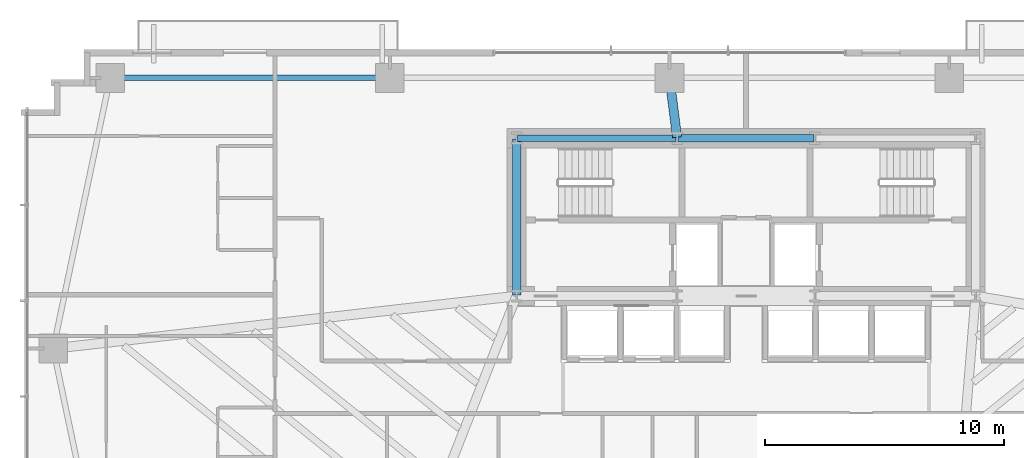
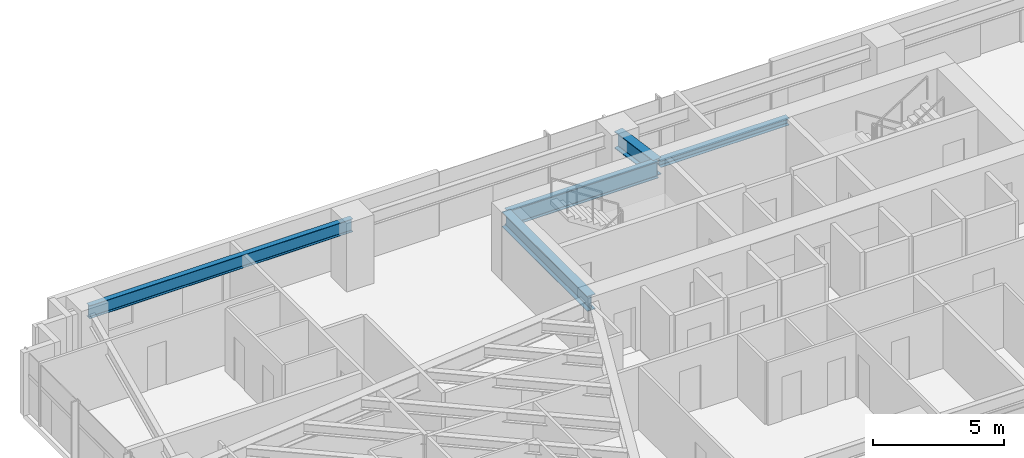
# One storey, part 9 of 25: 5 beams.
"""IFC4 building model written with IfcOpenShell, lengths in metres."""

import ifcopenshell
import ifcopenshell.guid

model = None  # the IFC model being written
_history = None  # IfcOwnerHistory: only IFC2X3 demands one
_inside = {}  # id of a spatial element -> (the spatial element, [elements in it])
_under = {}  # id of a project, library or spatial element -> (it, [spatial elements below it])
_declared = {}  # id of a project -> (the project, [libraries it declares])
_typed = {}  # id of a type object -> (the type object, [elements of that type])
_made_of = {}  # id of a material, layer set ... -> (it, [elements and type objects made of it])


def new_model(schema):
    """Start an empty IFC model of exactly this schema.

    Asked for "IFC4X3", IfcOpenShell would pick the latest addendum, in which some entities
    have other attributes; the version numbers below select the first issue.
    IFC2X3 requires an IfcOwnerHistory on every rooted entity: one is made here for all.
    """
    global model, _history
    if schema == "IFC4X3":
        model = ifcopenshell.file(schema_version=(4, 3, 0, 0))
    else:
        model = ifcopenshell.file(schema=schema)
    _inside.clear()
    _under.clear()
    _declared.clear()
    _typed.clear()
    _made_of.clear()
    _history = None
    if model.schema == "IFC2X3":
        org = make("IfcOrganization", Name="unknown")
        user = make(
            "IfcPersonAndOrganization",
            ThePerson=make("IfcPerson", FamilyName="unknown"),
            TheOrganization=org,
        )
        app = make(
            "IfcApplication",
            ApplicationDeveloper=org,
            Version="unknown",
            ApplicationFullName="unknown",
            ApplicationIdentifier="unknown",
        )
        _history = make(
            "IfcOwnerHistory",
            OwningUser=user,
            OwningApplication=app,
            ChangeAction="ADDED",
            CreationDate=0,
        )
    return model


def make(cls, **values):
    """One entity of the class cls with the attributes given. An attribute that is None is left unset."""
    return model.create_entity(
        cls, **{name: value for name, value in values.items() if value is not None}
    )


def rooted(cls, **values):
    """An entity with a GlobalId (a new one), such as an element, a storey or a relation."""
    return make(cls, GlobalId=ifcopenshell.guid.new(), OwnerHistory=_history, **values)


def si_unit(unit_type, name, prefix=None):
    """IfcSIUnit, for example si_unit("LENGTHUNIT", "METRE", prefix="MILLI")."""
    return make("IfcSIUnit", UnitType=unit_type, Prefix=prefix, Name=name)


def assignment(units):
    """IfcUnitAssignment: the units of a project."""
    return None if units is None else make("IfcUnitAssignment", Units=units)


def point(xyz):
    """IfcCartesianPoint."""
    return None if xyz is None else make("IfcCartesianPoint", Coordinates=xyz)


def direction(xyz):
    """IfcDirection."""
    return None if xyz is None else make("IfcDirection", DirectionRatios=xyz)


def frame(location, z_axis=None, x_axis=None):
    """IfcAxis2Placement3D, a coordinate frame: its origin and axes. An axis left out is left unset."""
    return make(
        "IfcAxis2Placement3D",
        Location=point(location),
        Axis=direction(z_axis),
        RefDirection=direction(x_axis),
    )


def frame_2d(location, x_axis=None):
    """IfcAxis2Placement2D, a coordinate frame in the plane: its origin and x axis."""
    return make(
        "IfcAxis2Placement2D", Location=point(location), RefDirection=direction(x_axis)
    )


def origin():
    """The frame at (0, 0, 0) with its axes left unset."""
    return frame((0.0, 0.0, 0.0))


def origin_2d():
    """The frame at (0, 0) in the plane with its x axis left unset."""
    return frame_2d((0.0, 0.0))


def place(relative_to, where):
    """IfcLocalPlacement: puts the frame where relative to a parent placement (None: the world)."""
    return make(
        "IfcLocalPlacement", PlacementRelTo=relative_to, RelativePlacement=where
    )


def context(
    kind, dimensions, precision=None, world=None, true_north=None, identifier=None
):
    """IfcGeometricRepresentationContext, for example the 3D "Model" context."""
    return make(
        "IfcGeometricRepresentationContext",
        ContextIdentifier=identifier,
        ContextType=kind,
        CoordinateSpaceDimension=dimensions,
        Precision=precision,
        WorldCoordinateSystem=world,
        TrueNorth=true_north,
    )


def subcontext(parent, identifier, kind, view, scale=None):
    """IfcGeometricRepresentationSubContext, for example "Body" below "Model"."""
    return make(
        "IfcGeometricRepresentationSubContext",
        ContextIdentifier=identifier,
        ContextType=kind,
        ParentContext=parent,
        TargetScale=scale,
        TargetView=view,
    )


def project(units=None, contexts=None):
    """IfcProject with its units and contexts."""
    return rooted(
        "IfcProject",
        Name="project",
        RepresentationContexts=contexts,
        UnitsInContext=assignment(units),
    )


def spatial(cls, under=None, at=None, **own):
    """A site, building, storey or space (cls), placed at a placement, below another one or the project."""
    s = rooted(cls, ObjectPlacement=at, **own)
    if under is not None:
        _under.setdefault(under.id(), (under, []))[1].append(s)
    return s


def profile(cls, at=None, kind="AREA", **sizes):
    """A parametric profile (cls). Its sizes go by their IFC names, for example OverallWidth=200.0."""
    return make(cls, ProfileType=kind, Position=at, **sizes)


def i_section(**sizes):
    """IfcIShapeProfileDef."""
    return profile("IfcIShapeProfileDef", **sizes)


def extrude(swept, where, along, depth):
    """IfcExtrudedAreaSolid: the profile swept, set in the frame where, extruded along a direction by depth."""
    return make(
        "IfcExtrudedAreaSolid",
        SweptArea=swept,
        Position=where,
        ExtrudedDirection=direction(along),
        Depth=depth,
    )


def shape(context_of_items, identifier, shape_type, items):
    """IfcShapeRepresentation: the items that make up one representation, for example the "Body"."""
    return make(
        "IfcShapeRepresentation",
        ContextOfItems=context_of_items,
        RepresentationIdentifier=identifier,
        RepresentationType=shape_type,
        Items=items,
    )


def source(mapping_origin, context_of_items, identifier, shape_type, items):
    """IfcRepresentationMap: a shape defined once, which mapped items show again and again."""
    return make(
        "IfcRepresentationMap",
        MappingOrigin=mapping_origin,
        MappedRepresentation=shape(context_of_items, identifier, shape_type, items),
    )


def transform(
    local_origin,
    x_axis=None,
    y_axis=None,
    z_axis=None,
    scale=None,
    scale2=None,
    scale3=None,
    uniform=True,
):
    """IfcCartesianTransformationOperator3D, or its non-uniform kind. x_axis, y_axis, z_axis: its Axis1, 2, 3."""
    if uniform:
        return make(
            "IfcCartesianTransformationOperator3D",
            Axis1=direction(x_axis),
            Axis2=direction(y_axis),
            LocalOrigin=point(local_origin),
            Scale=scale,
            Axis3=direction(z_axis),
        )
    return make(
        "IfcCartesianTransformationOperator3DnonUniform",
        Axis1=direction(x_axis),
        Axis2=direction(y_axis),
        LocalOrigin=point(local_origin),
        Scale=scale,
        Axis3=direction(z_axis),
        Scale2=scale2,
        Scale3=scale3,
    )


def mapped(mapping_source, mapping_target):
    """IfcMappedItem: shows the shape of a source again, moved by a transform."""
    return make(
        "IfcMappedItem", MappingSource=mapping_source, MappingTarget=mapping_target
    )


def material(Name=None, Category=None):
    """IfcMaterial."""
    return make("IfcMaterial", Name=Name, Category=Category)


def material_profile(
    of_material, cross_section, Name=None, Category=None, Priority=None
):
    """IfcMaterialProfile: a cross section and its material."""
    return make(
        "IfcMaterialProfile",
        Name=Name,
        Material=of_material,
        Profile=cross_section,
        Priority=Priority,
        Category=Category,
    )


def profile_set(profiles, Name=None, composite=None):
    """IfcMaterialProfileSet."""
    return make(
        "IfcMaterialProfileSet",
        Name=Name,
        MaterialProfiles=profiles,
        CompositeProfile=composite,
    )


def made_of(thing, what):
    """Note that an element or type object is made of a material, layer set ...; save() writes the relation."""
    if what is not None:
        _made_of.setdefault(what.id(), (what, []))[1].append(thing)
    return thing


def type_object(cls, material=None, **own):
    """A type object (cls), such as IfcWallType, which elements share."""
    return made_of(rooted(cls, **own), material)


def type_shapes(of_type, sources):
    """Give a type object the sources (RepresentationMaps) that its elements show as mapped items."""
    of_type.RepresentationMaps = sources


def element(
    cls,
    number,
    at=None,
    inside=None,
    cuts=None,
    type_object=None,
    material=None,
    context=None,
    identifier="Body",
    shape_type=None,
    held_by="IfcProductDefinitionShape",
    body=None,
    shapes=None,
    **own,
):
    """One element of the class cls, such as IfcWall. Its Tag is "e" and its number.

    at: its placement. inside: the storey or other place that contains it. cuts: it is an
    opening in that element (IfcRelVoidsElement). A single representation is given by context,
    identifier, shape_type and body (its items); several are given by shapes. held_by: the class
    of the entity that holds the representations. save() writes the other relations.
    """
    e = rooted(cls, Tag="e%d" % number, ObjectPlacement=at, **own)
    if body is not None:
        shapes = [shape(context, identifier, shape_type, body)]
    if shapes is not None:
        e.Representation = make(held_by, Representations=shapes)
    if inside is not None:
        _inside.setdefault(inside.id(), (inside, []))[1].append(e)
    if cuts is not None:
        rooted(
            "IfcRelVoidsElement", RelatingBuildingElement=cuts, RelatedOpeningElement=e
        )
    if type_object is not None:
        _typed.setdefault(type_object.id(), (type_object, []))[1].append(e)
    return made_of(e, material)


def aggregate(whole, parts):
    """IfcRelAggregates: a whole, such as a stair, and the parts it consists of."""
    return rooted("IfcRelAggregates", RelatingObject=whole, RelatedObjects=parts)


def save(model, path):
    """Write the relations noted so far, then the file.

    IfcRelAggregates (storeys below a building ...), IfcRelContainedInSpatialStructure (elements
    in a storey), IfcRelDefinesByType, IfcRelAssociatesMaterial and IfcRelDeclares: one each for
    every whole, place, type object, material and project.
    """
    for whole, parts in _under.values():
        aggregate(whole, parts)
    for where, things in _inside.values():
        rooted(
            "IfcRelContainedInSpatialStructure",
            RelatedElements=things,
            RelatingStructure=where,
        )
    for kind, things in _typed.values():
        rooted("IfcRelDefinesByType", RelatedObjects=things, RelatingType=kind)
    for what, things in _made_of.values():
        rooted("IfcRelAssociatesMaterial", RelatedObjects=things, RelatingMaterial=what)
    for by, libraries in _declared.values():
        rooted("IfcRelDeclares", RelatingContext=by, RelatedDefinitions=libraries)
    model.write(path)


model = new_model("IFC4")

# Units and contexts
model_context = context("Model", 3, precision=1e-05, world=origin(), true_north=direction((0.0, 1.0)))
body_context = subcontext(model_context, "Body", "Model", "MODEL_VIEW")
ifc_project = project(units=[si_unit("LENGTHUNIT", "METRE"), si_unit("AREAUNIT", "SQUARE_METRE"), si_unit("VOLUMEUNIT", "CUBIC_METRE"), si_unit("PLANEANGLEUNIT", "RADIAN"), si_unit("MASSUNIT", "GRAM", prefix="KILO")], contexts=[model_context])

# Site, building, storey
site_placement = place(None, origin())
site = spatial("IfcSite", under=ifc_project, at=site_placement, CompositionType="ELEMENT")
building_placement = place(site_placement, origin())
building = spatial("IfcBuilding", under=site, at=building_placement, Name="Astriad Promenade Condominiums", CompositionType="ELEMENT")
storey_placement = place(building_placement, frame((0.0, 0.0, 39.0)))
storey = spatial("IfcBuildingStorey", under=building, at=storey_placement, Name="L10", CompositionType="ELEMENT", Elevation=39.0)

# Beams
ifc_material = material(Name="Steel ASTM A992 Grade 50", Category="steel")
ifc_material_profile_1 = material_profile(ifc_material, i_section(OverallWidth=0.267822265625, OverallDepth=0.76953125, WebThickness=0.015625, FlangeThickness=0.025390625, FilletRadius=0.021484375, at=origin_2d()), Name="W30X132")
ifc_profile_set_1 = profile_set([ifc_material_profile_1], Name="Steel ASTM A992 Grade 50")
beam_type_1 = type_object("IfcBeamType", Name="STEEL FLOOR GIRDER W30X132", PredefinedType="BEAM", material=ifc_profile_set_1)
shared_shape_1 = source(origin(), body_context, "Body", "SweptSolid", [
    extrude(i_section(OverallWidth=0.267822265625, OverallDepth=0.76953125, WebThickness=0.015625, FlangeThickness=0.025390625, FilletRadius=0.021484375, at=origin_2d()), origin(), (0.0, 0.0, 1.0), 6.64013671875),
])
type_shapes(beam_type_1, [shared_shape_1])
beam_1_placement = place(storey_placement, frame((26.43994140625, 24.0, 2.55517578125), z_axis=(1.0, 0.0, 0.0), x_axis=(0.0, 1.0, 0.0)))
element("IfcBeam", 1, at=beam_1_placement, inside=storey, type_object=beam_type_1, Name="Core Ring Beam CG-N1-L10", PredefinedType="BEAM", context=body_context, shape_type="MappedRepresentation", body=[
    mapped(shared_shape_1, transform((0.0, 0.0, 0.0), scale=1.0)),
])
ifc_material_profile_2 = material_profile(ifc_material, i_section(OverallWidth=0.3046875, OverallDepth=0.307861328125, WebThickness=0.010009765625, FlangeThickness=0.015380859375, FilletRadius=0.01513671875, at=origin_2d()), Name="W12X65")
ifc_profile_set_2 = profile_set([ifc_material_profile_2], Name="Steel ASTM A992 Grade 50")
beam_type_2 = type_object("IfcBeamType", Name="STEEL OPENING LINTEL W12X65", PredefinedType="LINTEL", material=ifc_profile_set_2)
shared_shape_2 = source(origin(), body_context, "Body", "SweptSolid", [
    extrude(i_section(OverallWidth=0.3046875, OverallDepth=0.307861328125, WebThickness=0.010009765625, FlangeThickness=0.015380859375, FilletRadius=0.01513671875, at=origin_2d()), origin(), (0.0, 0.0, 1.0), 5.68017578125),
])
type_shapes(beam_type_2, [shared_shape_2])
beam_2_placement = place(storey_placement, frame((33.159912109375, 24.0, 2.7861328125), z_axis=(1.0, 0.0, 0.0), x_axis=(0.0, 1.0, 0.0)))
element("IfcBeam", 2, at=beam_2_placement, inside=storey, type_object=beam_type_2, Name="Core Ring Beam CG-N2-L10", PredefinedType="LINTEL", context=body_context, shape_type="MappedRepresentation", body=[
    mapped(shared_shape_2, transform((0.0, 0.0, 0.0), scale=1.0)),
])
ifc_material_profile_3 = material_profile(ifc_material, i_section(OverallWidth=0.35791015625, OverallDepth=0.706298828125, WebThickness=0.018310546875, FlangeThickness=0.0302734375, FilletRadius=0.020263671875, at=origin_2d()), Name="W27X178")
ifc_profile_set_3 = profile_set([ifc_material_profile_3], Name="Steel ASTM A992 Grade 50")
beam_type_3 = type_object("IfcBeamType", Name="STEEL FLOOR GIRDER W27X178", PredefinedType="BEAM", material=ifc_profile_set_3)
shared_shape_3 = source(origin(), body_context, "Body", "SweptSolid", [
    extrude(i_section(OverallWidth=0.35791015625, OverallDepth=0.706298828125, WebThickness=0.018310546875, FlangeThickness=0.0302734375, FilletRadius=0.020263671875, at=origin_2d()), origin(), (0.0, 0.0, 1.0), 6.52001953125),
])
type_shapes(beam_type_3, [shared_shape_3])
beam_3_placement = place(storey_placement, frame((26.39990234375, 17.43994140625, 2.5869140625), z_axis=(0.0, 1.0, 0.0), x_axis=(-1.0, 0.0, 0.0)))
element("IfcBeam", 3, at=beam_3_placement, inside=storey, type_object=beam_type_3, Name="Core Ring Beam CG-W1-L10", PredefinedType="BEAM", context=body_context, shape_type="MappedRepresentation", body=[
    mapped(shared_shape_3, transform((0.0, 0.0, 0.0), scale=1.0)),
])
ifc_material_profile_4 = material_profile(ifc_material, i_section(OverallWidth=0.22900390625, OverallDepth=0.612060546875, WebThickness=0.011962890625, FlangeThickness=0.01953125, FilletRadius=0.017822265625, at=origin_2d()), Name="W24X84")
ifc_profile_set_4 = profile_set([ifc_material_profile_4], Name="Steel ASTM A992 Grade 50")
beam_type_4 = type_object("IfcBeamType", Name="STEEL SPANDREL BEAM W24X84", PredefinedType="SPANDREL", material=ifc_profile_set_4)
shared_shape_4 = source(origin(), body_context, "Body", "SweptSolid", [
    extrude(i_section(OverallWidth=0.22900390625, OverallDepth=0.612060546875, WebThickness=0.011962890625, FlangeThickness=0.01953125, FilletRadius=0.017822265625, at=origin_2d()), origin(), (0.0, 0.0, 1.0), 11.6201171875),
])
type_shapes(beam_type_4, [shared_shape_4])
beam_4_placement = place(storey_placement, frame((21.06005859375, 26.52001953125, 2.6337890625), z_axis=(-1.0, 0.0, 0.0), x_axis=(0.0, -1.0, 0.0)))
element("IfcBeam", 4, at=beam_4_placement, inside=storey, type_object=beam_type_4, Name="Perimeter Spandrel Beam SP-N1-L10", PredefinedType="SPANDREL", context=body_context, shape_type="MappedRepresentation", body=[
    mapped(shared_shape_4, transform((0.0, 0.0, 0.0), scale=1.0)),
])
ifc_material_profile_5 = material_profile(ifc_material, i_section(OverallWidth=0.3837890625, OverallDepth=0.785888671875, WebThickness=0.019775390625, FlangeThickness=0.033447265625, FilletRadius=0.021484375, at=origin_2d()), Name="W30X211")
ifc_profile_set_5 = profile_set([ifc_material_profile_5], Name="Steel ASTM A992 Grade 50")
beam_type_5 = type_object("IfcBeamType", Name="STEEL FLOOR GIRDER W30X211", PredefinedType="BEAM", material=ifc_profile_set_5)
shared_shape_5 = source(origin(), body_context, "Body", "SweptSolid", [
    extrude(i_section(OverallWidth=0.3837890625, OverallDepth=0.785888671875, WebThickness=0.019775390625, FlangeThickness=0.033447265625, FilletRadius=0.021484375, at=origin_2d()), origin(), (0.0, 0.0, 1.0), 2.4599609375),
])
type_shapes(beam_type_5, [shared_shape_5])
beam_5_placement = place(storey_placement, frame((32.804931640625, 26.480224609375, 2.547119140625), z_axis=(0.126037648346, -0.992025458947, 0.0), x_axis=(0.992025458947, 0.126037648346, 0.0)))
element("IfcBeam", 5, at=beam_5_placement, inside=storey, type_object=beam_type_5, Name="Primary Floor Girder PG-NC-L10", PredefinedType="BEAM", context=body_context, shape_type="MappedRepresentation", body=[
    mapped(shared_shape_5, transform((0.0, 0.0, 0.0), scale=1.0)),
])

save(model, "model.ifc")
